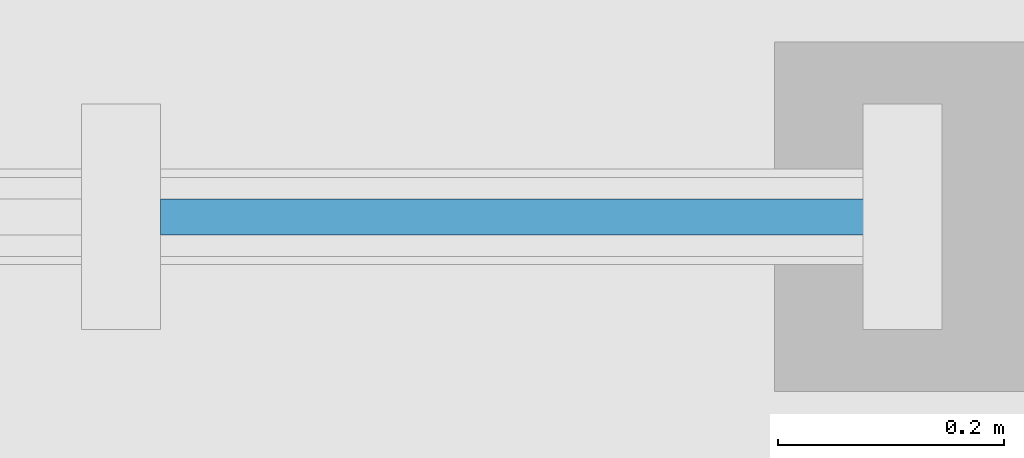
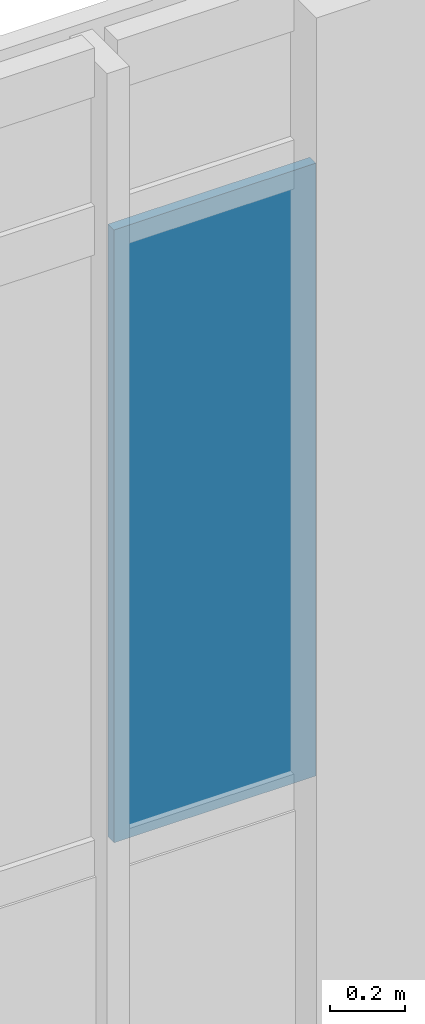
# One storey, part 69 of 111: 1 plate, 1 element without a shape of its own.
"""IFC4 building model written with IfcOpenShell, lengths in metres."""

from ifc_helpers import new_model, si_unit, direction, frame, origin, origin_2d, place, context, subcontext, project, spatial, rectangle, extrude, material, layer, layer_set, type_object, element, aggregate, save


model = new_model("IFC4")

# Units and contexts
model_context = context("Model", 3, precision=1e-05, world=origin(), true_north=direction((0.0, 1.0)))
body_context = subcontext(model_context, "Body", "Model", "MODEL_VIEW")
ifc_project = project(units=[si_unit("LENGTHUNIT", "METRE"), si_unit("AREAUNIT", "SQUARE_METRE"), si_unit("VOLUMEUNIT", "CUBIC_METRE"), si_unit("PLANEANGLEUNIT", "RADIAN"), si_unit("MASSUNIT", "GRAM", prefix="KILO")], contexts=[model_context])

# Site, building, storey
site_placement = place(None, origin())
site = spatial("IfcSite", under=ifc_project, at=site_placement, CompositionType="ELEMENT")
building_placement = place(site_placement, origin())
building = spatial("IfcBuilding", under=site, at=building_placement, Name="Larkvane Passage Sports Hall", CompositionType="ELEMENT")
storey_placement = place(building_placement, origin())
storey = spatial("IfcBuildingStorey", under=building, at=storey_placement, Name="L00", CompositionType="ELEMENT", Elevation=0.0)

# Curtain wall, plate
ifc_material_1 = material(Name="Thermally broken aluminium and low-E glazing", Category="aluminium")
curtain_wall_type = type_object("IfcCurtainWallType", Name="CW-UNIT-VEIL", PredefinedType="USERDEFINED", material=ifc_material_1)
curtain_wall_placement = place(storey_placement, origin())
curtain_wall = element("IfcCurtainWall", 1, at=curtain_wall_placement, inside=storey, type_object=curtain_wall_type, Name="Curtain wall CW5-L00-021", ObjectType="UNITISED CURTAIN WALL", PredefinedType="USERDEFINED")
ifc_material_2 = material(Name="Laminated acoustic low-E glazing", Category="glass")
ifc_layer = layer(ifc_material_2, 0.031982421875)
ifc_layer_set = layer_set([ifc_layer], Name="Laminated acoustic low-E glazing")
plate_type = type_object("IfcPlateType", Name="CWP-VIS-32", PredefinedType="CURTAIN_PANEL", material=ifc_layer_set)
plate_placement = place(storey_placement, frame((138.218505859375, 99.199951171875, 0.885009765625), z_axis=(0.0, 0.0, 1.0), x_axis=(1.0, 0.0, 0.0)))
plate = element("IfcPlate", 2, at=plate_placement, type_object=plate_type, Name="CW-02 panel 9.2", PredefinedType="CURTAIN_PANEL", context=body_context, shape_type="SweptSolid", body=[
    extrude(rectangle(XDim=0.623291015625, YDim=0.031982421875, at=origin_2d()), origin(), (0.0, 0.0, 1.0), 1.998046875),
])
aggregate(curtain_wall, [plate])

save(model, "model.ifc")
